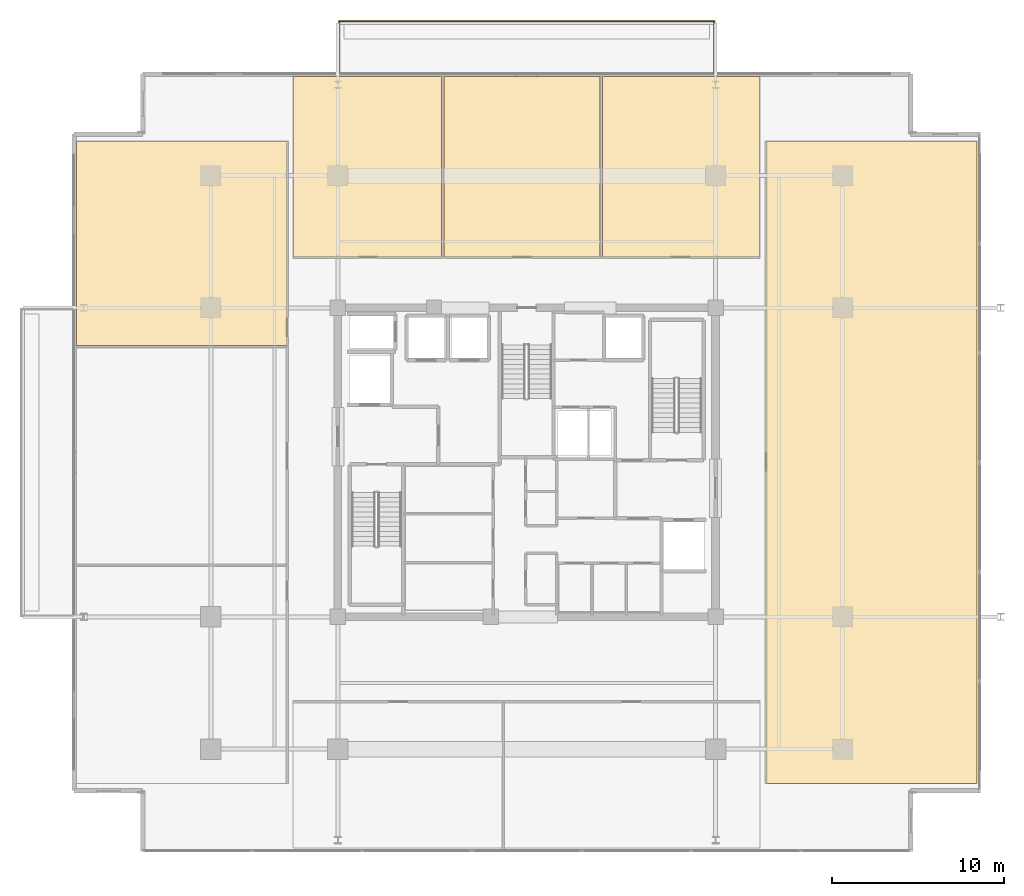
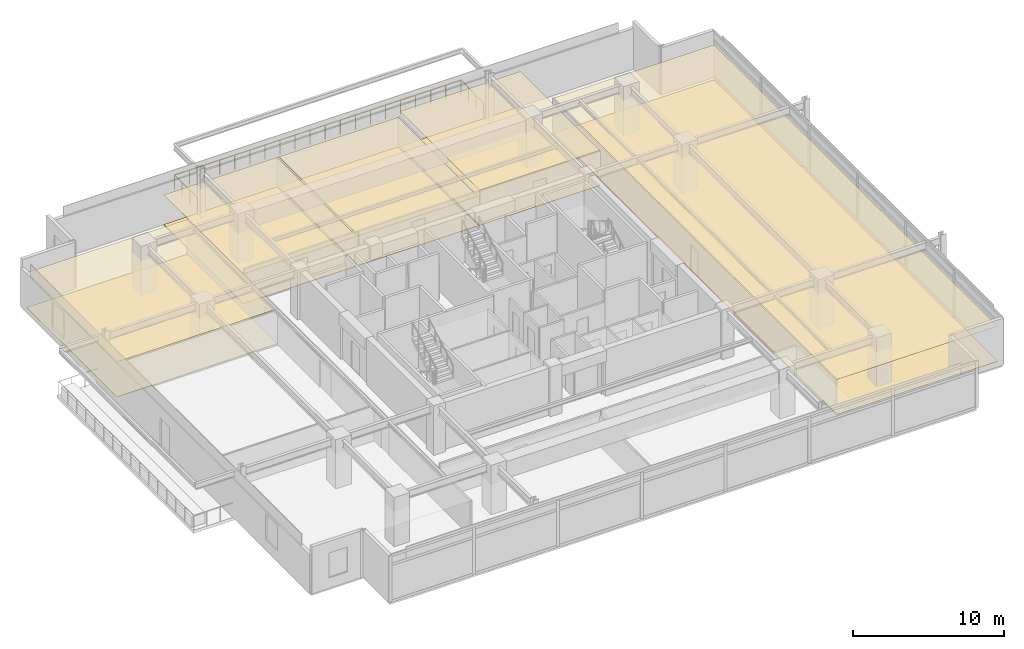
# One storey, part 21 of 21: 10 coverings, 1 railing.
"""IFC4 building model written with IfcOpenShell, lengths in metres."""

from ifc_helpers import new_model, si_unit, direction, frame, origin, origin_2d, place, context, subcontext, project, spatial, polyline, circle, outline, extrude, material, layer, layer_set, type_object, element, save


model = new_model("IFC4")

# Units and contexts
model_context = context("Model", 3, precision=1e-05, world=origin(), true_north=direction((0.0, 1.0)))
body_context = subcontext(model_context, "Body", "Model", "MODEL_VIEW")
ifc_project = project(units=[si_unit("LENGTHUNIT", "METRE"), si_unit("AREAUNIT", "SQUARE_METRE"), si_unit("VOLUMEUNIT", "CUBIC_METRE"), si_unit("PLANEANGLEUNIT", "RADIAN"), si_unit("MASSUNIT", "GRAM", prefix="KILO")], contexts=[model_context])

# Site, building, storey
site_placement = place(None, origin())
site = spatial("IfcSite", under=ifc_project, at=site_placement, CompositionType="ELEMENT")
building_placement = place(site_placement, origin())
building = spatial("IfcBuilding", under=site, at=building_placement, Name="Kovane Verandah Tower", CompositionType="ELEMENT")
storey_placement = place(building_placement, frame((0.0, 0.0, 247.199951171875)))
storey = spatial("IfcBuildingStorey", under=building, at=storey_placement, Name="L57", CompositionType="ELEMENT", Elevation=247.199951171875)

# Coverings
ifc_material_1 = material(Name="Perforated Acoustic Mineral-Fibre Ceiling Tile", Category="gypsum")
ifc_layer_1 = layer(ifc_material_1, 0.02490234375)
ifc_layer_set_1 = layer_set([ifc_layer_1], Name="Perforated Acoustic Mineral-Fibre Ceiling Tile")
covering_type_1 = type_object("IfcCoveringType", Name="CV-CEIL-25", PredefinedType="CEILING", material=ifc_layer_set_1)
covering_1_placement = place(storey_placement, frame((0.0, 0.0, 2.39013671875)))
element("IfcCovering", 1, at=covering_1_placement, inside=storey, type_object=covering_type_1, Name="L57 Focus Studio N1 Acoustic Ceiling", PredefinedType="CEILING", context=body_context, shape_type="SweptSolid", body=[
    extrude(outline(polyline([(26.39990234375, 39.449951171875), (35.033935546875, 39.449951171875), (35.033935546875, 49.96826171875), (26.39990234375, 49.96826171875), (26.39990234375, 39.449951171875)])), origin(), (0.0, 0.0, 1.0), 0.02490234375),
])
covering_2_placement = place(storey_placement, frame((0.0, 0.0, 2.39013671875)))
element("IfcCovering", 2, at=covering_2_placement, inside=storey, type_object=covering_type_1, Name="L57 Breakout Pantry N2 Acoustic Ceiling", PredefinedType="CEILING", context=body_context, shape_type="SweptSolid", body=[
    extrude(outline(polyline([(35.174072265625, 39.449951171875), (44.281982421875, 39.449951171875), (44.281982421875, 49.96826171875), (35.174072265625, 49.96826171875), (35.174072265625, 39.449951171875)])), origin(), (0.0, 0.0, 1.0), 0.02490234375),
])
covering_3_placement = place(storey_placement, frame((0.0, 0.0, 2.824951171875)))
element("IfcCovering", 3, at=covering_3_placement, inside=storey, type_object=covering_type_1, Name="L57 Collaboration Hub N3 Acoustic Ceiling", PredefinedType="CEILING", context=body_context, shape_type="SweptSolid", body=[
    extrude(outline(polyline([(44.422119140625, 39.449951171875), (53.60009765625, 39.449951171875), (53.60009765625, 49.96826171875), (44.422119140625, 49.96826171875), (44.422119140625, 39.449951171875)])), origin(), (0.0, 0.0, 1.0), 0.025146484375),
])
covering_4_placement = place(storey_placement, frame((0.0, 0.0, 2.824951171875)))
element("IfcCovering", 4, at=covering_4_placement, inside=storey, type_object=covering_type_1, Name="L57 Meeting Room W3 Acoustic Ceiling", PredefinedType="CEILING", context=body_context, shape_type="SweptSolid", body=[
    extrude(outline(polyline([(13.783447265625, 34.30859375), (26.050048828125, 34.30859375), (26.050048828125, 46.21826171875), (13.783447265625, 46.21826171875), (13.783447265625, 34.30859375)])), origin(), (0.0, 0.0, 1.0), 0.025146484375),
])
covering_5_placement = place(storey_placement, frame((0.0, 0.0, 2.824951171875)))
element("IfcCovering", 5, at=covering_5_placement, inside=storey, type_object=covering_type_1, Name="L57 Focus Studio E1 Acoustic Ceiling", PredefinedType="CEILING", context=body_context, shape_type="SweptSolid", body=[
    extrude(outline(polyline([(53.949951171875, 8.78173828125), (66.216552734375, 8.78173828125), (66.216552734375, 46.21826171875), (53.949951171875, 46.21826171875), (53.949951171875, 8.78173828125)])), origin(), (0.0, 0.0, 1.0), 0.025146484375),
])
ifc_material_2 = material(Name="Polished Terrazzo and Raised-Access Carpet Tile Finish", Category="concrete")
ifc_layer_2 = layer(ifc_material_2, 0.030029296875)
ifc_layer_set_2 = layer_set([ifc_layer_2], Name="Polished Terrazzo and Raised-Access Carpet Tile Finish")
covering_type_2 = type_object("IfcCoveringType", Name="CV-FLOR-30", PredefinedType="FLOORING", material=ifc_layer_set_2)
covering_6_placement = place(storey_placement, origin())
element("IfcCovering", 6, at=covering_6_placement, inside=storey, type_object=covering_type_2, Name="L57 Focus Studio N1 Floor Finish", PredefinedType="FLOORING", context=body_context, shape_type="SweptSolid", body=[
    extrude(outline(polyline([(26.39990234375, 39.449951171875), (35.033935546875, 39.449951171875), (35.033935546875, 49.96826171875), (26.39990234375, 49.96826171875), (26.39990234375, 39.449951171875)])), origin(), (0.0, 0.0, 1.0), 0.030029296875),
])
covering_7_placement = place(storey_placement, origin())
element("IfcCovering", 7, at=covering_7_placement, inside=storey, type_object=covering_type_2, Name="L57 Breakout Pantry N2 Floor Finish", PredefinedType="FLOORING", context=body_context, shape_type="SweptSolid", body=[
    extrude(outline(polyline([(35.174072265625, 39.449951171875), (44.281982421875, 39.449951171875), (44.281982421875, 49.96826171875), (35.174072265625, 49.96826171875), (35.174072265625, 39.449951171875)])), origin(), (0.0, 0.0, 1.0), 0.030029296875),
])
covering_8_placement = place(storey_placement, origin())
element("IfcCovering", 8, at=covering_8_placement, inside=storey, type_object=covering_type_2, Name="L57 Collaboration Hub N3 Floor Finish", PredefinedType="FLOORING", context=body_context, shape_type="SweptSolid", body=[
    extrude(outline(polyline([(44.422119140625, 39.449951171875), (53.60009765625, 39.449951171875), (53.60009765625, 49.96826171875), (44.422119140625, 49.96826171875), (44.422119140625, 39.449951171875)])), origin(), (0.0, 0.0, 1.0), 0.030029296875),
])
covering_9_placement = place(storey_placement, origin())
element("IfcCovering", 9, at=covering_9_placement, inside=storey, type_object=covering_type_2, Name="L57 Meeting Room W3 Floor Finish", PredefinedType="FLOORING", context=body_context, shape_type="SweptSolid", body=[
    extrude(outline(polyline([(13.783447265625, 34.30859375), (26.050048828125, 34.30859375), (26.050048828125, 46.21826171875), (13.783447265625, 46.21826171875), (13.783447265625, 34.30859375)])), origin(), (0.0, 0.0, 1.0), 0.030029296875),
])
covering_10_placement = place(storey_placement, origin())
element("IfcCovering", 10, at=covering_10_placement, inside=storey, type_object=covering_type_2, Name="L57 Focus Studio E1 Floor Finish", PredefinedType="FLOORING", context=body_context, shape_type="SweptSolid", body=[
    extrude(outline(polyline([(53.949951171875, 8.78173828125), (66.216552734375, 8.78173828125), (66.216552734375, 46.21826171875), (53.949951171875, 46.21826171875), (53.949951171875, 8.78173828125)])), origin(), (0.0, 0.0, 1.0), 0.030029296875),
])

# Railing
ifc_material_3 = material(Name="Laminated Glass and Pale-Champagne Stainless Balustrade", Category="glass")
railing_type = type_object("IfcRailingType", Name="RL-BAL-1150", PredefinedType="BALUSTRADE", material=ifc_material_3)
railing_placement = place(storey_placement, frame((29.080078125, 50.168212890625, 0.0)))
element("IfcRailing", 11, at=railing_placement, inside=storey, type_object=railing_type, Name="L57 N Verandah Glass Balustrade", PredefinedType="BALUSTRADE", context=body_context, shape_type="SweptSolid", body=[
    extrude(circle(Radius=0.02392578125, at=origin_2d()), frame((0.0, 0.0, 1.1259765625), z_axis=(0.0, 1.0, 0.0), x_axis=(-1.0, 0.0, 0.0)), (0.0, 0.0, 1.0), 3.02001953125),
    extrude(circle(Radius=0.02392578125, at=origin_2d()), frame((0.0, 3.02001953125, 1.1259765625), z_axis=(1.0, 0.0, 0.0), x_axis=(0.0, 1.0, 0.0)), (0.0, 0.0, 1.0), 21.83984375),
    extrude(circle(Radius=0.02392578125, at=origin_2d()), frame((21.83984375, 3.02001953125, 1.1259765625), z_axis=(0.0, -1.0, 0.0), x_axis=(1.0, 0.0, 0.0)), (0.0, 0.0, 1.0), 3.02001953125),
    extrude(circle(Radius=0.02099609375, at=origin_2d()), origin(), (0.0, 0.0, 1.0), 1.101806640625),
    extrude(circle(Radius=0.02099609375, at=origin_2d()), frame((0.0, 1.006591796875, 0.0)), (0.0, 0.0, 1.0), 1.101806640625),
    extrude(circle(Radius=0.02099609375, at=origin_2d()), frame((0.0, 2.013427734375, 0.0)), (0.0, 0.0, 1.0), 1.101806640625),
    extrude(circle(Radius=0.02099609375, at=origin_2d()), frame((0.0, 3.02001953125, 0.0)), (0.0, 0.0, 1.0), 1.101806640625),
    extrude(circle(Radius=0.02099609375, at=origin_2d()), frame((1.1494140625, 3.02001953125, 0.0)), (0.0, 0.0, 1.0), 1.101806640625),
    extrude(circle(Radius=0.02099609375, at=origin_2d()), frame((2.298828125, 3.02001953125, 0.0)), (0.0, 0.0, 1.0), 1.101806640625),
    extrude(circle(Radius=0.02099609375, at=origin_2d()), frame((3.448486328125, 3.02001953125, 0.0)), (0.0, 0.0, 1.0), 1.101806640625),
    extrude(circle(Radius=0.02099609375, at=origin_2d()), frame((4.597900390625, 3.02001953125, 0.0)), (0.0, 0.0, 1.0), 1.101806640625),
    extrude(circle(Radius=0.02099609375, at=origin_2d()), frame((5.747314453125, 3.02001953125, 0.0)), (0.0, 0.0, 1.0), 1.101806640625),
    extrude(circle(Radius=0.02099609375, at=origin_2d()), frame((6.896728515625, 3.02001953125, 0.0)), (0.0, 0.0, 1.0), 1.101806640625),
    extrude(circle(Radius=0.02099609375, at=origin_2d()), frame((8.046142578125, 3.02001953125, 0.0)), (0.0, 0.0, 1.0), 1.101806640625),
    extrude(circle(Radius=0.02099609375, at=origin_2d()), frame((9.19580078125, 3.02001953125, 0.0)), (0.0, 0.0, 1.0), 1.101806640625),
    extrude(circle(Radius=0.02099609375, at=origin_2d()), frame((10.34521484375, 3.02001953125, 0.0)), (0.0, 0.0, 1.0), 1.101806640625),
    extrude(circle(Radius=0.02099609375, at=origin_2d()), frame((11.49462890625, 3.02001953125, 0.0)), (0.0, 0.0, 1.0), 1.101806640625),
    extrude(circle(Radius=0.02099609375, at=origin_2d()), frame((12.64404296875, 3.02001953125, 0.0)), (0.0, 0.0, 1.0), 1.101806640625),
    extrude(circle(Radius=0.02099609375, at=origin_2d()), frame((13.793701171875, 3.02001953125, 0.0)), (0.0, 0.0, 1.0), 1.101806640625),
    extrude(circle(Radius=0.02099609375, at=origin_2d()), frame((14.943115234375, 3.02001953125, 0.0)), (0.0, 0.0, 1.0), 1.101806640625),
    extrude(circle(Radius=0.02099609375, at=origin_2d()), frame((16.092529296875, 3.02001953125, 0.0)), (0.0, 0.0, 1.0), 1.101806640625),
    extrude(circle(Radius=0.02099609375, at=origin_2d()), frame((17.241943359375, 3.02001953125, 0.0)), (0.0, 0.0, 1.0), 1.101806640625),
    extrude(circle(Radius=0.02099609375, at=origin_2d()), frame((18.391357421875, 3.02001953125, 0.0)), (0.0, 0.0, 1.0), 1.101806640625),
    extrude(circle(Radius=0.02099609375, at=origin_2d()), frame((19.541015625, 3.02001953125, 0.0)), (0.0, 0.0, 1.0), 1.101806640625),
    extrude(circle(Radius=0.02099609375, at=origin_2d()), frame((20.6904296875, 3.02001953125, 0.0)), (0.0, 0.0, 1.0), 1.101806640625),
    extrude(circle(Radius=0.02099609375, at=origin_2d()), frame((21.83984375, 3.02001953125, 0.0)), (0.0, 0.0, 1.0), 1.101806640625),
    extrude(circle(Radius=0.02099609375, at=origin_2d()), frame((21.83984375, 2.013427734375, 0.0)), (0.0, 0.0, 1.0), 1.101806640625),
    extrude(circle(Radius=0.02099609375, at=origin_2d()), frame((21.83984375, 1.006591796875, 0.0)), (0.0, 0.0, 1.0), 1.101806640625),
    extrude(circle(Radius=0.02099609375, at=origin_2d()), frame((21.83984375, 0.0, 0.0)), (0.0, 0.0, 1.0), 1.101806640625),
])

save(model, "model.ifc")
